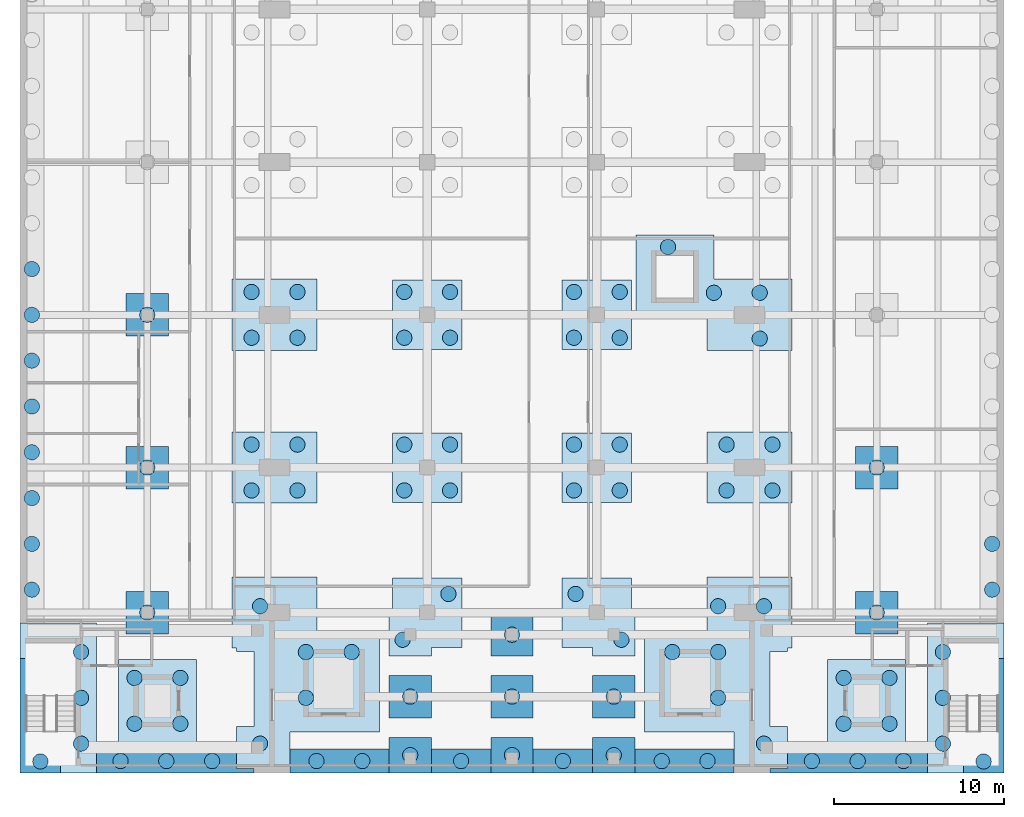
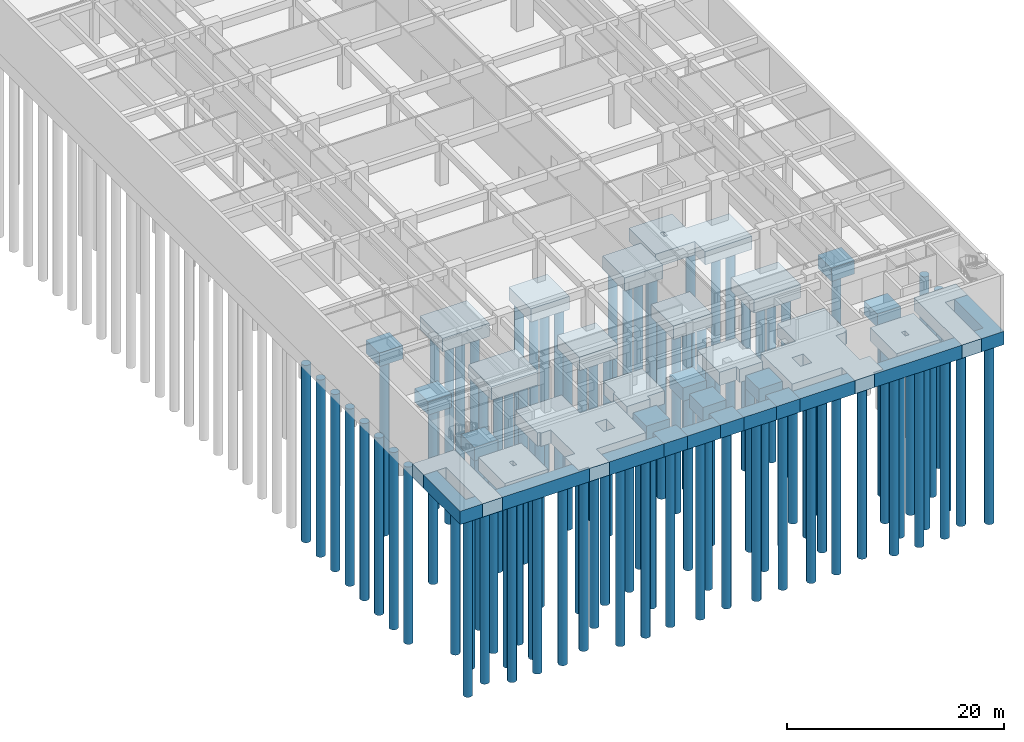
# One storey, part 1 of 19: 97 piles, 36 footings.
"""IFC4 building model written with IfcOpenShell, lengths in metres."""

import ifcopenshell
import ifcopenshell.guid

model = None  # the IFC model being written
_history = None  # IfcOwnerHistory: only IFC2X3 demands one
_inside = {}  # id of a spatial element -> (the spatial element, [elements in it])
_under = {}  # id of a project, library or spatial element -> (it, [spatial elements below it])
_declared = {}  # id of a project -> (the project, [libraries it declares])
_typed = {}  # id of a type object -> (the type object, [elements of that type])
_made_of = {}  # id of a material, layer set ... -> (it, [elements and type objects made of it])


def new_model(schema):
    """Start an empty IFC model of exactly this schema.

    Asked for "IFC4X3", IfcOpenShell would pick the latest addendum, in which some entities
    have other attributes; the version numbers below select the first issue.
    IFC2X3 requires an IfcOwnerHistory on every rooted entity: one is made here for all.
    """
    global model, _history
    if schema == "IFC4X3":
        model = ifcopenshell.file(schema_version=(4, 3, 0, 0))
    else:
        model = ifcopenshell.file(schema=schema)
    _inside.clear()
    _under.clear()
    _declared.clear()
    _typed.clear()
    _made_of.clear()
    _history = None
    if model.schema == "IFC2X3":
        org = make("IfcOrganization", Name="unknown")
        user = make(
            "IfcPersonAndOrganization",
            ThePerson=make("IfcPerson", FamilyName="unknown"),
            TheOrganization=org,
        )
        app = make(
            "IfcApplication",
            ApplicationDeveloper=org,
            Version="unknown",
            ApplicationFullName="unknown",
            ApplicationIdentifier="unknown",
        )
        _history = make(
            "IfcOwnerHistory",
            OwningUser=user,
            OwningApplication=app,
            ChangeAction="ADDED",
            CreationDate=0,
        )
    return model


def make(cls, **values):
    """One entity of the class cls with the attributes given. An attribute that is None is left unset."""
    return model.create_entity(
        cls, **{name: value for name, value in values.items() if value is not None}
    )


def rooted(cls, **values):
    """An entity with a GlobalId (a new one), such as an element, a storey or a relation."""
    return make(cls, GlobalId=ifcopenshell.guid.new(), OwnerHistory=_history, **values)


def si_unit(unit_type, name, prefix=None):
    """IfcSIUnit, for example si_unit("LENGTHUNIT", "METRE", prefix="MILLI")."""
    return make("IfcSIUnit", UnitType=unit_type, Prefix=prefix, Name=name)


def assignment(units):
    """IfcUnitAssignment: the units of a project."""
    return None if units is None else make("IfcUnitAssignment", Units=units)


def point(xyz):
    """IfcCartesianPoint."""
    return None if xyz is None else make("IfcCartesianPoint", Coordinates=xyz)


def direction(xyz):
    """IfcDirection."""
    return None if xyz is None else make("IfcDirection", DirectionRatios=xyz)


def frame(location, z_axis=None, x_axis=None):
    """IfcAxis2Placement3D, a coordinate frame: its origin and axes. An axis left out is left unset."""
    return make(
        "IfcAxis2Placement3D",
        Location=point(location),
        Axis=direction(z_axis),
        RefDirection=direction(x_axis),
    )


def frame_2d(location, x_axis=None):
    """IfcAxis2Placement2D, a coordinate frame in the plane: its origin and x axis."""
    return make(
        "IfcAxis2Placement2D", Location=point(location), RefDirection=direction(x_axis)
    )


def origin():
    """The frame at (0, 0, 0) with its axes left unset."""
    return frame((0.0, 0.0, 0.0))


def origin_2d():
    """The frame at (0, 0) in the plane with its x axis left unset."""
    return frame_2d((0.0, 0.0))


def place(relative_to, where):
    """IfcLocalPlacement: puts the frame where relative to a parent placement (None: the world)."""
    return make(
        "IfcLocalPlacement", PlacementRelTo=relative_to, RelativePlacement=where
    )


def context(
    kind, dimensions, precision=None, world=None, true_north=None, identifier=None
):
    """IfcGeometricRepresentationContext, for example the 3D "Model" context."""
    return make(
        "IfcGeometricRepresentationContext",
        ContextIdentifier=identifier,
        ContextType=kind,
        CoordinateSpaceDimension=dimensions,
        Precision=precision,
        WorldCoordinateSystem=world,
        TrueNorth=true_north,
    )


def subcontext(parent, identifier, kind, view, scale=None):
    """IfcGeometricRepresentationSubContext, for example "Body" below "Model"."""
    return make(
        "IfcGeometricRepresentationSubContext",
        ContextIdentifier=identifier,
        ContextType=kind,
        ParentContext=parent,
        TargetScale=scale,
        TargetView=view,
    )


def project(units=None, contexts=None):
    """IfcProject with its units and contexts."""
    return rooted(
        "IfcProject",
        Name="project",
        RepresentationContexts=contexts,
        UnitsInContext=assignment(units),
    )


def spatial(cls, under=None, at=None, **own):
    """A site, building, storey or space (cls), placed at a placement, below another one or the project."""
    s = rooted(cls, ObjectPlacement=at, **own)
    if under is not None:
        _under.setdefault(under.id(), (under, []))[1].append(s)
    return s


def polyline(points):
    """IfcPolyline through the points."""
    return make("IfcPolyline", Points=[point(p) for p in points])


def profile(cls, at=None, kind="AREA", **sizes):
    """A parametric profile (cls). Its sizes go by their IFC names, for example OverallWidth=200.0."""
    return make(cls, ProfileType=kind, Position=at, **sizes)


def circle(**sizes):
    """IfcCircleProfileDef."""
    return profile("IfcCircleProfileDef", **sizes)


def outline(outer, holes=None, kind="AREA"):
    """IfcArbitraryClosedProfileDef: a profile drawn as a closed curve; with holes, ...WithVoids."""
    if holes is None:
        return make("IfcArbitraryClosedProfileDef", ProfileType=kind, OuterCurve=outer)
    return make(
        "IfcArbitraryProfileDefWithVoids",
        ProfileType=kind,
        OuterCurve=outer,
        InnerCurves=holes,
    )


def extrude(swept, where, along, depth):
    """IfcExtrudedAreaSolid: the profile swept, set in the frame where, extruded along a direction by depth."""
    return make(
        "IfcExtrudedAreaSolid",
        SweptArea=swept,
        Position=where,
        ExtrudedDirection=direction(along),
        Depth=depth,
    )


def shape(context_of_items, identifier, shape_type, items):
    """IfcShapeRepresentation: the items that make up one representation, for example the "Body"."""
    return make(
        "IfcShapeRepresentation",
        ContextOfItems=context_of_items,
        RepresentationIdentifier=identifier,
        RepresentationType=shape_type,
        Items=items,
    )


def material(Name=None, Category=None):
    """IfcMaterial."""
    return make("IfcMaterial", Name=Name, Category=Category)


def layer(
    of_material, thickness, ventilated=None, Name=None, Category=None, Priority=None
):
    """IfcMaterialLayer: one layer of a wall or slab, of a material (None: an air gap)."""
    return make(
        "IfcMaterialLayer",
        Material=of_material,
        LayerThickness=thickness,
        IsVentilated=ventilated,
        Name=Name,
        Category=Category,
        Priority=Priority,
    )


def layer_set(layers, Name=None):
    """IfcMaterialLayerSet."""
    return make("IfcMaterialLayerSet", MaterialLayers=layers, LayerSetName=Name)


def material_profile(
    of_material, cross_section, Name=None, Category=None, Priority=None
):
    """IfcMaterialProfile: a cross section and its material."""
    return make(
        "IfcMaterialProfile",
        Name=Name,
        Material=of_material,
        Profile=cross_section,
        Priority=Priority,
        Category=Category,
    )


def profile_set(profiles, Name=None, composite=None):
    """IfcMaterialProfileSet."""
    return make(
        "IfcMaterialProfileSet",
        Name=Name,
        MaterialProfiles=profiles,
        CompositeProfile=composite,
    )


def made_of(thing, what):
    """Note that an element or type object is made of a material, layer set ...; save() writes the relation."""
    if what is not None:
        _made_of.setdefault(what.id(), (what, []))[1].append(thing)
    return thing


def type_object(cls, material=None, **own):
    """A type object (cls), such as IfcWallType, which elements share."""
    return made_of(rooted(cls, **own), material)


def element(
    cls,
    number,
    at=None,
    inside=None,
    cuts=None,
    type_object=None,
    material=None,
    context=None,
    identifier="Body",
    shape_type=None,
    held_by="IfcProductDefinitionShape",
    body=None,
    shapes=None,
    **own,
):
    """One element of the class cls, such as IfcWall. Its Tag is "e" and its number.

    at: its placement. inside: the storey or other place that contains it. cuts: it is an
    opening in that element (IfcRelVoidsElement). A single representation is given by context,
    identifier, shape_type and body (its items); several are given by shapes. held_by: the class
    of the entity that holds the representations. save() writes the other relations.
    """
    e = rooted(cls, Tag="e%d" % number, ObjectPlacement=at, **own)
    if body is not None:
        shapes = [shape(context, identifier, shape_type, body)]
    if shapes is not None:
        e.Representation = make(held_by, Representations=shapes)
    if inside is not None:
        _inside.setdefault(inside.id(), (inside, []))[1].append(e)
    if cuts is not None:
        rooted(
            "IfcRelVoidsElement", RelatingBuildingElement=cuts, RelatedOpeningElement=e
        )
    if type_object is not None:
        _typed.setdefault(type_object.id(), (type_object, []))[1].append(e)
    return made_of(e, material)


def aggregate(whole, parts):
    """IfcRelAggregates: a whole, such as a stair, and the parts it consists of."""
    return rooted("IfcRelAggregates", RelatingObject=whole, RelatedObjects=parts)


def save(model, path):
    """Write the relations noted so far, then the file.

    IfcRelAggregates (storeys below a building ...), IfcRelContainedInSpatialStructure (elements
    in a storey), IfcRelDefinesByType, IfcRelAssociatesMaterial and IfcRelDeclares: one each for
    every whole, place, type object, material and project.
    """
    for whole, parts in _under.values():
        aggregate(whole, parts)
    for where, things in _inside.values():
        rooted(
            "IfcRelContainedInSpatialStructure",
            RelatedElements=things,
            RelatingStructure=where,
        )
    for kind, things in _typed.values():
        rooted("IfcRelDefinesByType", RelatedObjects=things, RelatingType=kind)
    for what, things in _made_of.values():
        rooted("IfcRelAssociatesMaterial", RelatedObjects=things, RelatingMaterial=what)
    for by, libraries in _declared.values():
        rooted("IfcRelDeclares", RelatingContext=by, RelatedDefinitions=libraries)
    model.write(path)


model = new_model("IFC4")

# Units and contexts
model_context = context("Model", 3, precision=1e-05, world=origin(), true_north=direction((0.0, 1.0)))
body_context = subcontext(model_context, "Body", "Model", "MODEL_VIEW")
ifc_project = project(units=[si_unit("LENGTHUNIT", "METRE"), si_unit("AREAUNIT", "SQUARE_METRE"), si_unit("VOLUMEUNIT", "CUBIC_METRE"), si_unit("PLANEANGLEUNIT", "RADIAN"), si_unit("MASSUNIT", "GRAM", prefix="KILO")], contexts=[model_context])

# Site, building, storey
site_placement = place(None, origin())
site = spatial("IfcSite", under=ifc_project, at=site_placement, CompositionType="ELEMENT")
building_placement = place(site_placement, origin())
building = spatial("IfcBuilding", under=site, at=building_placement, Name="Elmora Arch Market Hall", CompositionType="ELEMENT")
storey_placement = place(building_placement, frame((0.0, 0.0, -10.0)))
storey = spatial("IfcBuildingStorey", under=building, at=storey_placement, Name="B1", CompositionType="ELEMENT", Elevation=-10.0)

# Piles
ifc_material_1 = material(Name="Concrete C40/50", Category="concrete")
ifc_material_profile = material_profile(ifc_material_1, circle(Radius=0.449951171875, at=origin_2d()), Name="Bored pile D900")
ifc_profile_set = profile_set([ifc_material_profile], Name="Concrete C40/50")
pile_type = type_object("IfcPileType", Name="Bored pile D900", PredefinedType="BORED", material=ifc_profile_set)
for number, where, z_axis, x_axis, name in (
    (1, (3.60009765625, 19.72509765625, -2.89990234375), (0.0, 0.0, -1.0), (1.0, 0.0, 0.0), "Bored pile 001.01"),
    (2, (3.60009765625, 22.425048828125, -2.89990234375), (0.0, 0.0, -1.0), (1.0, 0.0, 0.0), "Bored pile 001.02"),
    (3, (3.60009765625, 25.125, -2.89990234375), (0.0, 0.0, -1.0), (1.0, 0.0, 0.0), "Bored pile 001.03"),
    (4, (14.14990234375, 19.72509765625, -2.89990234375), (0.0, 0.0, -1.0), (1.0, 0.0, 0.0), "Bored pile 002.01"),
    (5, (14.14990234375, 27.824951171875, -2.89990234375), (0.0, 0.0, -1.0), (1.0, 0.0, 0.0), "Bored pile 002.02"),
    (6, (16.85009765625, 22.425048828125, -2.89990234375), (0.0, 0.0, -1.0), (1.0, 0.0, 0.0), "Bored pile 002.03"),
    (7, (16.85009765625, 25.125, -2.89990234375), (0.0, 0.0, -1.0), (1.0, 0.0, 0.0), "Bored pile 002.04"),
    (8, (19.550048828125, 25.125, -2.89990234375), (0.0, 0.0, -1.0), (1.0, 0.0, 0.0), "Bored pile 002.05"),
    (9, (23.0, 19.050048828125, -2.89990234375), (0.0, 0.0, -1.0), (1.0, 0.0, 0.0), "Bored pile 003.01"),
    (10, (29.0, 19.050048828125, -2.89990234375), (0.0, 0.0, -1.0), (1.0, 0.0, 0.0), "Bored pile 004.01"),
    (11, (35.0, 19.050048828125, -2.89990234375), (0.0, 0.0, -1.0), (1.0, 0.0, 0.0), "Bored pile 005.01"),
    (12, (38.449951171875, 25.125, -2.89990234375), (0.0, 0.0, -1.0), (1.0, 0.0, 0.0), "Bored pile 006.01"),
    (13, (41.14990234375, 22.425048828125, -2.89990234375), (0.0, 0.0, -1.0), (1.0, 0.0, 0.0), "Bored pile 006.02"),
    (14, (41.14990234375, 25.125, -2.89990234375), (0.0, 0.0, -1.0), (1.0, 0.0, 0.0), "Bored pile 006.03"),
    (15, (41.14990234375, 27.824951171875, -2.89990234375), (0.0, 0.0, -1.0), (1.0, 0.0, 0.0), "Bored pile 006.04"),
    (16, (43.85009765625, 19.72509765625, -2.89990234375), (0.0, 0.0, -1.0), (1.0, 0.0, 0.0), "Bored pile 006.05"),
    (17, (43.85009765625, 27.824951171875, -2.89990234375), (0.0, 0.0, -1.0), (1.0, 0.0, 0.0), "Bored pile 006.06"),
    (18, (54.39990234375, 19.72509765625, -2.89990234375), (0.0, 0.0, -1.0), (1.0, 0.0, 0.0), "Bored pile 007.01"),
    (19, (54.39990234375, 22.425048828125, -2.89990234375), (0.0, 0.0, -1.0), (1.0, 0.0, 0.0), "Bored pile 007.02"),
    (20, (54.39990234375, 25.125, -2.89990234375), (0.0, 0.0, -1.0), (1.0, 0.0, 0.0), "Bored pile 007.03"),
    (21, (6.75, 20.89990234375, -2.89990234375), (0.0, 0.0, -1.0), (1.0, 0.0, 0.0), "Bored pile 008.01"),
    (22, (6.75, 23.60009765625, -2.89990234375), (0.0, 0.0, -1.0), (1.0, 0.0, 0.0), "Bored pile 008.02"),
    (23, (9.449951171875, 20.89990234375, -2.89990234375), (0.0, 0.0, -1.0), (1.0, 0.0, 0.0), "Bored pile 008.03"),
    (24, (9.449951171875, 23.60009765625, -2.89990234375), (0.0, 0.0, -1.0), (1.0, 0.0, 0.0), "Bored pile 008.04"),
    (25, (48.550048828125, 20.89990234375, -2.89990234375), (0.0, 0.0, -1.0), (1.0, 0.0, 0.0), "Bored pile 009.01"),
    (26, (48.550048828125, 23.60009765625, -2.89990234375), (0.0, 0.0, -1.0), (1.0, 0.0, 0.0), "Bored pile 009.02"),
    (27, (51.25, 20.89990234375, -2.89990234375), (0.0, 0.0, -1.0), (1.0, 0.0, 0.0), "Bored pile 009.03"),
    (28, (51.25, 23.60009765625, -2.89990234375), (0.0, 0.0, -1.0), (1.0, 0.0, 0.0), "Bored pile 009.04"),
    (29, (23.0, 22.5, -2.89990234375), (0.0, 0.0, -1.0), (1.0, 0.0, 0.0), "Bored pile 010.01"),
    (30, (29.0, 22.5, -2.89990234375), (0.0, 0.0, -1.0), (1.0, 0.0, 0.0), "Bored pile 011.01"),
    (31, (35.0, 22.5, -2.89990234375), (0.0, 0.0, -1.0), (1.0, 0.0, 0.0), "Bored pile 012.01"),
    (32, (22.550048828125, 25.85009765625, -2.89990234375), (0.0, 0.0, -1.0), (1.0, 0.0, 0.0), "Bored pile 013.01"),
    (33, (25.25, 28.550048828125, -2.89990234375), (0.0, 0.0, -1.0), (1.0, 0.0, 0.0), "Bored pile 013.02"),
    (34, (29.0, 26.14990234375, -2.89990234375), (0.0, 0.0, -1.0), (1.0, 0.0, 0.0), "Bored pile 014.01"),
    (35, (32.75, 28.550048828125, -2.89990234375), (0.0, 0.0, -1.0), (1.0, 0.0, 0.0), "Bored pile 015.01"),
    (36, (35.449951171875, 25.85009765625, -2.89990234375), (0.0, 0.0, -1.0), (1.0, 0.0, 0.0), "Bored pile 015.02"),
    (37, (7.5, 27.449951171875, -2.89990234375), (0.0, 0.0, -1.0), (1.0, 0.0, 0.0), "Bored pile 016.01"),
    (38, (50.5, 27.449951171875, -2.89990234375), (0.0, 0.0, -1.0), (1.0, 0.0, 0.0), "Bored pile 017.01"),
    (39, (13.64990234375, 34.64990234375, -2.89990234375), (0.0, 0.0, -1.0), (1.0, 0.0, 0.0), "Bored pile 018.01"),
    (40, (13.64990234375, 37.35009765625, -2.89990234375), (0.0, 0.0, -1.0), (1.0, 0.0, 0.0), "Bored pile 018.02"),
    (41, (16.35009765625, 34.64990234375, -2.89990234375), (0.0, 0.0, -1.0), (1.0, 0.0, 0.0), "Bored pile 018.03"),
    (42, (16.35009765625, 37.35009765625, -2.89990234375), (0.0, 0.0, -1.0), (1.0, 0.0, 0.0), "Bored pile 018.04"),
    (43, (41.64990234375, 34.64990234375, -2.89990234375), (0.0, 0.0, -1.0), (1.0, 0.0, 0.0), "Bored pile 019.01"),
    (44, (41.64990234375, 37.35009765625, -2.89990234375), (0.0, 0.0, -1.0), (1.0, 0.0, 0.0), "Bored pile 019.02"),
    (45, (44.35009765625, 34.64990234375, -2.89990234375), (0.0, 0.0, -1.0), (1.0, 0.0, 0.0), "Bored pile 019.03"),
    (46, (44.35009765625, 37.35009765625, -2.89990234375), (0.0, 0.0, -1.0), (1.0, 0.0, 0.0), "Bored pile 019.04"),
    (47, (22.64990234375, 34.64990234375, -2.89990234375), (0.0, 0.0, -1.0), (1.0, 0.0, 0.0), "Bored pile 020.01"),
    (48, (22.64990234375, 37.35009765625, -2.89990234375), (0.0, 0.0, -1.0), (1.0, 0.0, 0.0), "Bored pile 020.02"),
    (49, (25.35009765625, 34.64990234375, -2.89990234375), (0.0, 0.0, -1.0), (1.0, 0.0, 0.0), "Bored pile 020.03"),
    (50, (25.35009765625, 37.35009765625, -2.89990234375), (0.0, 0.0, -1.0), (1.0, 0.0, 0.0), "Bored pile 020.04"),
    (51, (32.64990234375, 34.64990234375, -2.89990234375), (0.0, 0.0, -1.0), (1.0, 0.0, 0.0), "Bored pile 021.01"),
    (52, (32.64990234375, 37.35009765625, -2.89990234375), (0.0, 0.0, -1.0), (1.0, 0.0, 0.0), "Bored pile 021.02"),
    (53, (35.35009765625, 34.64990234375, -2.89990234375), (0.0, 0.0, -1.0), (1.0, 0.0, 0.0), "Bored pile 021.03"),
    (54, (35.35009765625, 37.35009765625, -2.89990234375), (0.0, 0.0, -1.0), (1.0, 0.0, 0.0), "Bored pile 021.04"),
    (55, (7.5, 36.0, -2.89990234375), (0.0, 0.0, -1.0), (1.0, 0.0, 0.0), "Bored pile 022.01"),
    (56, (50.5, 36.0, -2.89990234375), (0.0, 0.0, -1.0), (1.0, 0.0, 0.0), "Bored pile 023.01"),
    (57, (13.64990234375, 43.64990234375, -2.89990234375), (0.0, 0.0, -1.0), (1.0, 0.0, 0.0), "Bored pile 024.01"),
    (58, (13.64990234375, 46.35009765625, -2.89990234375), (0.0, 0.0, -1.0), (1.0, 0.0, 0.0), "Bored pile 024.02"),
    (59, (16.35009765625, 43.64990234375, -2.89990234375), (0.0, 0.0, -1.0), (1.0, 0.0, 0.0), "Bored pile 024.03"),
    (60, (16.35009765625, 46.35009765625, -2.89990234375), (0.0, 0.0, -1.0), (1.0, 0.0, 0.0), "Bored pile 024.04"),
    (61, (38.199951171875, 49.0, -2.89990234375), (0.0, 0.0, -1.0), (1.0, 0.0, 0.0), "Bored pile 025.01"),
    (62, (40.89990234375, 46.300048828125, -2.89990234375), (0.0, 0.0, -1.0), (1.0, 0.0, 0.0), "Bored pile 025.02"),
    (63, (43.60009765625, 43.60009765625, -2.89990234375), (0.0, 0.0, -1.0), (1.0, 0.0, 0.0), "Bored pile 025.03"),
    (64, (43.60009765625, 46.300048828125, -2.89990234375), (0.0, 0.0, -1.0), (1.0, 0.0, 0.0), "Bored pile 025.04"),
    (65, (22.64990234375, 43.64990234375, -2.89990234375), (0.0, 0.0, -1.0), (1.0, 0.0, 0.0), "Bored pile 026.01"),
    (66, (22.64990234375, 46.35009765625, -2.89990234375), (0.0, 0.0, -1.0), (1.0, 0.0, 0.0), "Bored pile 026.02"),
    (67, (25.35009765625, 43.64990234375, -2.89990234375), (0.0, 0.0, -1.0), (1.0, 0.0, 0.0), "Bored pile 026.03"),
    (68, (25.35009765625, 46.35009765625, -2.89990234375), (0.0, 0.0, -1.0), (1.0, 0.0, 0.0), "Bored pile 026.04"),
    (69, (32.64990234375, 43.64990234375, -2.89990234375), (0.0, 0.0, -1.0), (1.0, 0.0, 0.0), "Bored pile 027.01"),
    (70, (32.64990234375, 46.35009765625, -2.89990234375), (0.0, 0.0, -1.0), (1.0, 0.0, 0.0), "Bored pile 027.02"),
    (71, (35.35009765625, 43.64990234375, -2.89990234375), (0.0, 0.0, -1.0), (1.0, 0.0, 0.0), "Bored pile 027.03"),
    (72, (35.35009765625, 46.35009765625, -2.89990234375), (0.0, 0.0, -1.0), (1.0, 0.0, 0.0), "Bored pile 027.04"),
    (73, (7.5, 45.0, -2.89990234375), (0.0, 0.0, -1.0), (1.0, 0.0, 0.0), "Bored pile 028.01"),
    (74, (1.199951171875, 18.675048828125, -2.89990234375), (0.0, 0.0, -1.0), (1.0, 0.0, 0.0), "Bored pile 078.01"),
    (75, (5.925048828125, 18.699951171875, -2.89990234375), (0.0, 0.0, -1.0), (1.0, 0.0, 0.0), "Bored pile 079.01"),
    (76, (8.625, 18.699951171875, -2.89990234375), (0.0, 0.0, -1.0), (1.0, 0.0, 0.0), "Bored pile 079.02"),
    (77, (11.324951171875, 18.699951171875, -2.89990234375), (0.0, 0.0, -1.0), (1.0, 0.0, 0.0), "Bored pile 079.03"),
    (78, (17.47509765625, 18.699951171875, -2.89990234375), (0.0, 0.0, -1.0), (1.0, 0.0, 0.0), "Bored pile 080.01"),
    (79, (20.175048828125, 18.699951171875, -2.89990234375), (0.0, 0.0, -1.0), (1.0, 0.0, 0.0), "Bored pile 080.02"),
    (80, (26.0, 18.699951171875, -2.89990234375), (0.0, 0.0, -1.0), (1.0, 0.0, 0.0), "Bored pile 081.01"),
    (81, (32.0, 18.699951171875, -2.89990234375), (0.0, 0.0, -1.0), (1.0, 0.0, 0.0), "Bored pile 082.01"),
    (82, (37.824951171875, 18.699951171875, -2.89990234375), (0.0, 0.0, -1.0), (1.0, 0.0, 0.0), "Bored pile 083.01"),
    (83, (40.52490234375, 18.699951171875, -2.89990234375), (0.0, 0.0, -1.0), (1.0, 0.0, 0.0), "Bored pile 083.02"),
    (84, (46.675048828125, 18.699951171875, -2.89990234375), (0.0, 0.0, -1.0), (1.0, 0.0, 0.0), "Bored pile 084.01"),
    (85, (49.375, 18.699951171875, -2.89990234375), (0.0, 0.0, -1.0), (1.0, 0.0, 0.0), "Bored pile 084.02"),
    (86, (52.074951171875, 18.699951171875, -2.89990234375), (0.0, 0.0, -1.0), (1.0, 0.0, 0.0), "Bored pile 084.03"),
    (87, (56.800048828125, 18.675048828125, -2.89990234375), (0.0, 0.0, -1.0), (1.0, 0.0, 0.0), "Bored pile 085.01"),
    (88, (0.699951171875, 28.800048828125, -2.89990234375), (0.0, 0.0, -1.0), (1.0, 0.0, 0.0), "Bored pile 086.01"),
    (89, (0.699951171875, 31.5, -2.89990234375), (0.0, 0.0, -1.0), (1.0, 0.0, 0.0), "Bored pile 086.02"),
    (90, (0.699951171875, 34.199951171875, -2.89990234375), (0.0, 0.0, -1.0), (1.0, 0.0, 0.0), "Bored pile 086.03"),
    (91, (0.699951171875, 36.89990234375, -2.89990234375), (0.0, 0.0, -1.0), (1.0, 0.0, 0.0), "Bored pile 086.04"),
    (92, (0.699951171875, 39.60009765625, -2.89990234375), (0.0, 0.0, -1.0), (1.0, 0.0, 0.0), "Bored pile 086.05"),
    (93, (0.699951171875, 42.300048828125, -2.89990234375), (0.0, 0.0, -1.0), (1.0, 0.0, 0.0), "Bored pile 086.06"),
    (94, (0.699951171875, 45.0, -2.89990234375), (0.0, 0.0, -1.0), (1.0, 0.0, 0.0), "Bored pile 086.07"),
    (95, (0.699951171875, 47.699951171875, -2.89990234375), (0.0, 0.0, -1.0), (1.0, 0.0, 0.0), "Bored pile 086.08"),
    (96, (57.300048828125, 28.800048828125, -2.89990234375), (0.0, 0.0, -1.0), (1.0, 0.0, 0.0), "Bored pile 087.01"),
    (97, (57.300048828125, 31.5, -2.89990234375), (0.0, 0.0, -1.0), (1.0, 0.0, 0.0), "Bored pile 087.02"),
):
    element("IfcPile", number, at=place(storey_placement, frame(where, z_axis=z_axis, x_axis=x_axis)), inside=storey, type_object=pile_type, Name=name, PredefinedType="BORED", context=body_context, shape_type="SweptSolid", body=[
        extrude(circle(Radius=0.449951171875, at=origin_2d()), origin(), (0.0, 0.0, 1.0), 20.0),
    ])

# Footings
ifc_material_2 = material(Name="Concrete C40/50", Category="concrete")
ifc_layer_1 = layer(ifc_material_2, 1.5)
ifc_layer_set_1 = layer_set([ifc_layer_1], Name="Concrete C40/50")
footing_type_1 = type_object("IfcFootingType", Name="Pile cap 1500, 3 to 4 piles", PredefinedType="PILE_CAP", material=ifc_layer_set_1)
footing_1_placement = place(storey_placement, frame((0.0, 0.0, -2.89990234375)))
element("IfcFooting", 98, at=footing_1_placement, inside=storey, type_object=footing_type_1, Name="Pile cap 001", PredefinedType="PILE_CAP", context=body_context, shape_type="SweptSolid", body=[
    extrude(outline(polyline([(2.39990234375, 26.85009765625), (4.199951171875, 26.85009765625), (4.5, 26.85009765625), (4.5, 18.0), (2.39990234375, 18.0), (2.39990234375, 24.75), (0.0, 24.75), (0.0, 26.85009765625), (2.39990234375, 26.85009765625)])), origin(), (0.0, 0.0, 1.0), 1.5),
])
footing_2_placement = place(storey_placement, frame((0.0, 0.0, -2.89990234375)))
element("IfcFooting", 99, at=footing_2_placement, inside=storey, type_object=footing_type_1, Name="Pile cap 007", PredefinedType="PILE_CAP", context=body_context, shape_type="SweptSolid", body=[
    extrude(outline(polyline([(55.60009765625, 26.85009765625), (58.0, 26.85009765625), (58.0, 24.75), (55.60009765625, 24.75), (55.60009765625, 18.0), (53.5, 18.0), (53.5, 26.85009765625), (53.800048828125, 26.85009765625), (55.60009765625, 26.85009765625)])), origin(), (0.0, 0.0, 1.0), 1.5),
])
footing_3_placement = place(storey_placement, frame((0.0, 0.0, -2.89990234375)))
element("IfcFooting", 100, at=footing_3_placement, inside=storey, type_object=footing_type_1, Name="Pile cap 008", PredefinedType="PILE_CAP", context=body_context, shape_type="SweptSolid", body=[
    extrude(outline(polyline([(6.10009765625, 24.699951171875), (7.89990234375, 24.699951171875), (8.300048828125, 24.699951171875), (10.10009765625, 24.699951171875), (10.39990234375, 24.699951171875), (10.39990234375, 19.800048828125), (10.10009765625, 19.800048828125), (8.300048828125, 19.800048828125), (7.89990234375, 19.800048828125), (6.10009765625, 19.800048828125), (5.800048828125, 19.800048828125), (5.800048828125, 24.699951171875), (6.10009765625, 24.699951171875)]), holes=[polyline([(8.300048828125, 22.60009765625), (7.89990234375, 22.60009765625), (7.89990234375, 21.89990234375), (8.300048828125, 21.89990234375), (8.300048828125, 22.60009765625)])]), origin(), (0.0, 0.0, 1.0), 1.5),
])
footing_4_placement = place(storey_placement, frame((0.0, 0.0, -2.89990234375)))
element("IfcFooting", 101, at=footing_4_placement, inside=storey, type_object=footing_type_1, Name="Pile cap 009", PredefinedType="PILE_CAP", context=body_context, shape_type="SweptSolid", body=[
    extrude(outline(polyline([(50.10009765625, 19.800048828125), (49.699951171875, 19.800048828125), (47.89990234375, 19.800048828125), (47.60009765625, 19.800048828125), (47.60009765625, 24.699951171875), (47.89990234375, 24.699951171875), (49.699951171875, 24.699951171875), (50.10009765625, 24.699951171875), (51.89990234375, 24.699951171875), (52.199951171875, 24.699951171875), (52.199951171875, 19.800048828125), (51.89990234375, 19.800048828125), (50.10009765625, 19.800048828125)]), holes=[polyline([(50.10009765625, 22.60009765625), (49.699951171875, 22.60009765625), (49.699951171875, 21.89990234375), (50.10009765625, 21.89990234375), (50.10009765625, 22.60009765625)])]), origin(), (0.0, 0.0, 1.0), 1.5),
])
footing_5_placement = place(storey_placement, frame((0.0, 0.0, -2.89990234375)))
element("IfcFooting", 102, at=footing_5_placement, inside=storey, type_object=footing_type_1, Name="Pile cap 018", PredefinedType="PILE_CAP", context=body_context, shape_type="SweptSolid", body=[
    extrude(outline(polyline([(17.5, 33.89990234375), (12.5, 33.89990234375), (12.5, 38.10009765625), (17.5, 38.10009765625), (17.5, 33.89990234375)])), origin(), (0.0, 0.0, 1.0), 1.5),
])
footing_6_placement = place(storey_placement, frame((0.0, 0.0, -2.89990234375)))
element("IfcFooting", 103, at=footing_6_placement, inside=storey, type_object=footing_type_1, Name="Pile cap 019", PredefinedType="PILE_CAP", context=body_context, shape_type="SweptSolid", body=[
    extrude(outline(polyline([(45.5, 33.89990234375), (40.5, 33.89990234375), (40.5, 38.10009765625), (45.5, 38.10009765625), (45.5, 33.89990234375)])), origin(), (0.0, 0.0, 1.0), 1.5),
])
footing_7_placement = place(storey_placement, frame((0.0, 0.0, -2.89990234375)))
element("IfcFooting", 104, at=footing_7_placement, inside=storey, type_object=footing_type_1, Name="Pile cap 020", PredefinedType="PILE_CAP", context=body_context, shape_type="SweptSolid", body=[
    extrude(outline(polyline([(26.050048828125, 33.949951171875), (21.949951171875, 33.949951171875), (21.949951171875, 38.050048828125), (26.050048828125, 38.050048828125), (26.050048828125, 33.949951171875)])), origin(), (0.0, 0.0, 1.0), 1.5),
])
footing_8_placement = place(storey_placement, frame((0.0, 0.0, -2.89990234375)))
element("IfcFooting", 105, at=footing_8_placement, inside=storey, type_object=footing_type_1, Name="Pile cap 021", PredefinedType="PILE_CAP", context=body_context, shape_type="SweptSolid", body=[
    extrude(outline(polyline([(36.050048828125, 38.050048828125), (36.050048828125, 33.949951171875), (31.949951171875, 33.949951171875), (31.949951171875, 38.050048828125), (36.050048828125, 38.050048828125)])), origin(), (0.0, 0.0, 1.0), 1.5),
])
footing_9_placement = place(storey_placement, frame((0.0, 0.0, -2.89990234375)))
element("IfcFooting", 106, at=footing_9_placement, inside=storey, type_object=footing_type_1, Name="Pile cap 024", PredefinedType="PILE_CAP", context=body_context, shape_type="SweptSolid", body=[
    extrude(outline(polyline([(17.5, 42.89990234375), (12.5, 42.89990234375), (12.5, 47.10009765625), (17.5, 47.10009765625), (17.5, 42.89990234375)])), origin(), (0.0, 0.0, 1.0), 1.5),
])
footing_10_placement = place(storey_placement, frame((0.0, 0.0, -2.89990234375)))
element("IfcFooting", 107, at=footing_10_placement, inside=storey, type_object=footing_type_1, Name="Pile cap 025", PredefinedType="PILE_CAP", context=body_context, shape_type="SweptSolid", body=[
    extrude(outline(polyline([(38.39990234375, 44.800048828125), (36.60009765625, 44.800048828125), (36.300048828125, 44.800048828125), (36.300048828125, 49.699951171875), (36.60009765625, 49.699951171875), (38.39990234375, 49.699951171875), (38.800048828125, 49.699951171875), (40.60009765625, 49.699951171875), (40.89990234375, 49.699951171875), (40.89990234375, 47.10009765625), (45.5, 47.10009765625), (45.5, 42.89990234375), (40.5, 42.89990234375), (40.5, 44.800048828125), (38.800048828125, 44.800048828125), (38.39990234375, 44.800048828125)]), holes=[polyline([(38.39990234375, 47.60009765625), (38.39990234375, 46.89990234375), (38.800048828125, 46.89990234375), (38.800048828125, 47.60009765625), (38.39990234375, 47.60009765625)])]), origin(), (0.0, 0.0, 1.0), 1.5),
])
footing_11_placement = place(storey_placement, frame((0.0, 0.0, -2.89990234375)))
element("IfcFooting", 108, at=footing_11_placement, inside=storey, type_object=footing_type_1, Name="Pile cap 026", PredefinedType="PILE_CAP", context=body_context, shape_type="SweptSolid", body=[
    extrude(outline(polyline([(26.050048828125, 42.949951171875), (21.949951171875, 42.949951171875), (21.949951171875, 47.050048828125), (26.050048828125, 47.050048828125), (26.050048828125, 42.949951171875)])), origin(), (0.0, 0.0, 1.0), 1.5),
])
footing_12_placement = place(storey_placement, frame((0.0, 0.0, -2.89990234375)))
element("IfcFooting", 109, at=footing_12_placement, inside=storey, type_object=footing_type_1, Name="Pile cap 027", PredefinedType="PILE_CAP", context=body_context, shape_type="SweptSolid", body=[
    extrude(outline(polyline([(36.050048828125, 42.949951171875), (31.949951171875, 42.949951171875), (31.949951171875, 47.050048828125), (36.050048828125, 47.050048828125), (36.050048828125, 42.949951171875)])), origin(), (0.0, 0.0, 1.0), 1.5),
])
footing_13_placement = place(storey_placement, frame((0.0, 0.0, -2.89990234375)))
element("IfcFooting", 110, at=footing_13_placement, inside=storey, type_object=footing_type_1, Name="Pile cap 079", PredefinedType="PILE_CAP", context=body_context, shape_type="SweptSolid", body=[
    extrude(outline(polyline([(4.5, 18.0), (4.5, 19.39990234375), (12.75, 19.39990234375), (12.75, 18.25), (13.800048828125, 18.25), (13.800048828125, 18.0), (4.5, 18.0)])), origin(), (0.0, 0.0, 1.0), 1.5),
])
footing_14_placement = place(storey_placement, frame((0.0, 0.0, -2.89990234375)))
element("IfcFooting", 111, at=footing_14_placement, inside=storey, type_object=footing_type_1, Name="Pile cap 084", PredefinedType="PILE_CAP", context=body_context, shape_type="SweptSolid", body=[
    extrude(outline(polyline([(44.199951171875, 18.0), (44.199951171875, 18.25), (45.25, 18.25), (45.25, 19.39990234375), (53.5, 19.39990234375), (53.5, 18.0), (44.199951171875, 18.0)])), origin(), (0.0, 0.0, 1.0), 1.5),
])
ifc_material_3 = material(Name="Concrete C40/50", Category="concrete")
ifc_layer_2 = layer(ifc_material_3, 1.5)
ifc_layer_set_2 = layer_set([ifc_layer_2], Name="Concrete C40/50")
footing_type_2 = type_object("IfcFootingType", Name="Pile cap 1500, 5 to 8 piles", PredefinedType="PILE_CAP", material=ifc_layer_set_2)
footing_15_placement = place(storey_placement, frame((0.0, 0.0, -2.89990234375)))
element("IfcFooting", 112, at=footing_15_placement, inside=storey, type_object=footing_type_2, Name="Pile cap 002", PredefinedType="PILE_CAP", context=body_context, shape_type="SweptSolid", body=[
    extrude(outline(polyline([(12.5, 25.35009765625), (12.5, 29.550048828125), (17.5, 29.550048828125), (17.5, 26.199951171875), (17.89990234375, 26.199951171875), (19.10009765625, 26.199951171875), (20.89990234375, 26.199951171875), (21.199951171875, 26.199951171875), (21.199951171875, 20.39990234375), (20.89990234375, 20.39990234375), (19.10009765625, 20.39990234375), (17.89990234375, 20.39990234375), (16.10009765625, 20.39990234375), (15.89990234375, 20.39990234375), (15.89990234375, 18.0), (13.800048828125, 18.0), (13.800048828125, 18.25), (12.75, 18.25), (12.75, 20.75), (13.800048828125, 20.75), (13.800048828125, 25.14990234375), (12.75, 25.14990234375), (12.75, 25.35009765625), (12.5, 25.35009765625)]), holes=[polyline([(19.10009765625, 24.10009765625), (17.89990234375, 24.10009765625), (17.89990234375, 22.5), (19.10009765625, 22.5), (19.10009765625, 24.10009765625)])]), origin(), (0.0, 0.0, 1.0), 1.5),
])
footing_16_placement = place(storey_placement, frame((0.0, 0.0, -2.89990234375)))
element("IfcFooting", 113, at=footing_16_placement, inside=storey, type_object=footing_type_2, Name="Pile cap 006", PredefinedType="PILE_CAP", context=body_context, shape_type="SweptSolid", body=[
    extrude(outline(polyline([(36.800048828125, 26.199951171875), (37.10009765625, 26.199951171875), (38.89990234375, 26.199951171875), (40.10009765625, 26.199951171875), (40.5, 26.199951171875), (40.5, 29.550048828125), (45.5, 29.550048828125), (45.5, 25.35009765625), (45.25, 25.35009765625), (45.25, 25.14990234375), (44.199951171875, 25.14990234375), (44.199951171875, 20.75), (45.25, 20.75), (45.25, 18.25), (44.199951171875, 18.25), (44.199951171875, 18.0), (42.10009765625, 18.0), (42.10009765625, 20.39990234375), (41.89990234375, 20.39990234375), (40.10009765625, 20.39990234375), (38.89990234375, 20.39990234375), (37.10009765625, 20.39990234375), (36.800048828125, 20.39990234375), (36.800048828125, 26.199951171875)]), holes=[polyline([(38.89990234375, 22.5), (40.10009765625, 22.5), (40.10009765625, 24.10009765625), (38.89990234375, 24.10009765625), (38.89990234375, 22.5)])]), origin(), (0.0, 0.0, 1.0), 1.5),
])
ifc_material_4 = material(Name="Concrete C40/50", Category="concrete")
ifc_layer_3 = layer(ifc_material_4, 1.5)
ifc_layer_set_3 = layer_set([ifc_layer_3], Name="Concrete C40/50")
footing_type_3 = type_object("IfcFootingType", Name="Pile cap 1500, up to 2 piles", PredefinedType="PILE_CAP", material=ifc_layer_set_3)
footing_17_placement = place(storey_placement, frame((0.0, 0.0, -2.89990234375)))
element("IfcFooting", 114, at=footing_17_placement, inside=storey, type_object=footing_type_3, Name="Pile cap 003", PredefinedType="PILE_CAP", context=body_context, shape_type="SweptSolid", body=[
    extrude(outline(polyline([(24.25, 18.0), (21.75, 18.0), (21.75, 20.10009765625), (24.25, 20.10009765625), (24.25, 18.0)])), origin(), (0.0, 0.0, 1.0), 1.5),
])
footing_18_placement = place(storey_placement, frame((0.0, 0.0, -2.89990234375)))
element("IfcFooting", 115, at=footing_18_placement, inside=storey, type_object=footing_type_3, Name="Pile cap 004", PredefinedType="PILE_CAP", context=body_context, shape_type="SweptSolid", body=[
    extrude(outline(polyline([(30.25, 18.0), (27.75, 18.0), (27.75, 20.10009765625), (30.25, 20.10009765625), (30.25, 18.0)])), origin(), (0.0, 0.0, 1.0), 1.5),
])
footing_19_placement = place(storey_placement, frame((0.0, 0.0, -2.89990234375)))
element("IfcFooting", 116, at=footing_19_placement, inside=storey, type_object=footing_type_3, Name="Pile cap 005", PredefinedType="PILE_CAP", context=body_context, shape_type="SweptSolid", body=[
    extrude(outline(polyline([(36.25, 18.0), (33.75, 18.0), (33.75, 20.10009765625), (36.25, 20.10009765625), (36.25, 18.0)])), origin(), (0.0, 0.0, 1.0), 1.5),
])
footing_20_placement = place(storey_placement, frame((0.0, 0.0, -2.89990234375)))
element("IfcFooting", 117, at=footing_20_placement, inside=storey, type_object=footing_type_3, Name="Pile cap 010", PredefinedType="PILE_CAP", context=body_context, shape_type="SweptSolid", body=[
    extrude(outline(polyline([(24.25, 21.25), (21.75, 21.25), (21.75, 23.75), (24.25, 23.75), (24.25, 21.25)])), origin(), (0.0, 0.0, 1.0), 1.5),
])
footing_21_placement = place(storey_placement, frame((0.0, 0.0, -2.89990234375)))
element("IfcFooting", 118, at=footing_21_placement, inside=storey, type_object=footing_type_3, Name="Pile cap 011", PredefinedType="PILE_CAP", context=body_context, shape_type="SweptSolid", body=[
    extrude(outline(polyline([(30.25, 21.25), (27.75, 21.25), (27.75, 23.75), (30.25, 23.75), (30.25, 21.25)])), origin(), (0.0, 0.0, 1.0), 1.5),
])
footing_22_placement = place(storey_placement, frame((0.0, 0.0, -2.89990234375)))
element("IfcFooting", 119, at=footing_22_placement, inside=storey, type_object=footing_type_3, Name="Pile cap 012", PredefinedType="PILE_CAP", context=body_context, shape_type="SweptSolid", body=[
    extrude(outline(polyline([(36.25, 21.25), (33.75, 21.25), (33.75, 23.75), (36.25, 23.75), (36.25, 21.25)])), origin(), (0.0, 0.0, 1.0), 1.5),
])
footing_23_placement = place(storey_placement, frame((0.0, 0.0, -2.89990234375)))
element("IfcFooting", 120, at=footing_23_placement, inside=storey, type_object=footing_type_3, Name="Pile cap 013", PredefinedType="PILE_CAP", context=body_context, shape_type="SweptSolid", body=[
    extrude(outline(polyline([(24.25, 25.39990234375), (24.25, 24.89990234375), (21.75, 24.89990234375), (21.75, 27.39990234375), (21.949951171875, 27.39990234375), (21.949951171875, 29.5), (26.050048828125, 29.5), (26.050048828125, 25.39990234375), (24.25, 25.39990234375)])), origin(), (0.0, 0.0, 1.0), 1.5),
])
footing_24_placement = place(storey_placement, frame((0.0, 0.0, -2.89990234375)))
element("IfcFooting", 121, at=footing_24_placement, inside=storey, type_object=footing_type_3, Name="Pile cap 014", PredefinedType="PILE_CAP", context=body_context, shape_type="SweptSolid", body=[
    extrude(outline(polyline([(30.25, 24.89990234375), (27.75, 24.89990234375), (27.75, 27.39990234375), (30.25, 27.39990234375), (30.25, 24.89990234375)])), origin(), (0.0, 0.0, 1.0), 1.5),
])
footing_25_placement = place(storey_placement, frame((0.0, 0.0, -2.89990234375)))
element("IfcFooting", 122, at=footing_25_placement, inside=storey, type_object=footing_type_3, Name="Pile cap 015", PredefinedType="PILE_CAP", context=body_context, shape_type="SweptSolid", body=[
    extrude(outline(polyline([(31.949951171875, 29.5), (36.050048828125, 29.5), (36.050048828125, 27.39990234375), (36.25, 27.39990234375), (36.25, 24.89990234375), (33.75, 24.89990234375), (33.75, 25.39990234375), (31.949951171875, 25.39990234375), (31.949951171875, 29.5)])), origin(), (0.0, 0.0, 1.0), 1.5),
])
footing_26_placement = place(storey_placement, frame((0.0, 0.0, -2.89990234375)))
element("IfcFooting", 123, at=footing_26_placement, inside=storey, type_object=footing_type_3, Name="Pile cap 016", PredefinedType="PILE_CAP", context=body_context, shape_type="SweptSolid", body=[
    extrude(outline(polyline([(8.75, 26.199951171875), (6.25, 26.199951171875), (6.25, 28.699951171875), (8.75, 28.699951171875), (8.75, 26.199951171875)])), origin(), (0.0, 0.0, 1.0), 1.5),
])
footing_27_placement = place(storey_placement, frame((0.0, 0.0, -2.89990234375)))
element("IfcFooting", 124, at=footing_27_placement, inside=storey, type_object=footing_type_3, Name="Pile cap 017", PredefinedType="PILE_CAP", context=body_context, shape_type="SweptSolid", body=[
    extrude(outline(polyline([(51.75, 26.199951171875), (49.25, 26.199951171875), (49.25, 28.699951171875), (51.75, 28.699951171875), (51.75, 26.199951171875)])), origin(), (0.0, 0.0, 1.0), 1.5),
])
footing_28_placement = place(storey_placement, frame((0.0, 0.0, -2.89990234375)))
element("IfcFooting", 125, at=footing_28_placement, inside=storey, type_object=footing_type_3, Name="Pile cap 022", PredefinedType="PILE_CAP", context=body_context, shape_type="SweptSolid", body=[
    extrude(outline(polyline([(8.75, 34.75), (6.25, 34.75), (6.25, 37.25), (8.75, 37.25), (8.75, 34.75)])), origin(), (0.0, 0.0, 1.0), 1.5),
])
footing_29_placement = place(storey_placement, frame((0.0, 0.0, -2.89990234375)))
element("IfcFooting", 126, at=footing_29_placement, inside=storey, type_object=footing_type_3, Name="Pile cap 023", PredefinedType="PILE_CAP", context=body_context, shape_type="SweptSolid", body=[
    extrude(outline(polyline([(51.75, 34.75), (49.25, 34.75), (49.25, 37.25), (51.75, 37.25), (51.75, 34.75)])), origin(), (0.0, 0.0, 1.0), 1.5),
])
footing_30_placement = place(storey_placement, frame((0.0, 0.0, -2.89990234375)))
element("IfcFooting", 127, at=footing_30_placement, inside=storey, type_object=footing_type_3, Name="Pile cap 028", PredefinedType="PILE_CAP", context=body_context, shape_type="SweptSolid", body=[
    extrude(outline(polyline([(8.75, 43.75), (6.25, 43.75), (6.25, 46.25), (8.75, 46.25), (8.75, 43.75)])), origin(), (0.0, 0.0, 1.0), 1.5),
])
footing_31_placement = place(storey_placement, frame((0.0, 0.0, -2.89990234375)))
element("IfcFooting", 128, at=footing_31_placement, inside=storey, type_object=footing_type_3, Name="Pile cap 078", PredefinedType="PILE_CAP", context=body_context, shape_type="SweptSolid", body=[
    extrude(outline(polyline([(1.39990234375, 18.0), (0.0, 18.0), (0.0, 19.39990234375), (0.0, 24.75), (1.39990234375, 24.75), (1.39990234375, 19.39990234375), (2.39990234375, 19.39990234375), (2.39990234375, 18.0), (1.39990234375, 18.0)])), origin(), (0.0, 0.0, 1.0), 1.5),
])
footing_32_placement = place(storey_placement, frame((0.0, 0.0, -2.89990234375)))
element("IfcFooting", 129, at=footing_32_placement, inside=storey, type_object=footing_type_3, Name="Pile cap 080", PredefinedType="PILE_CAP", context=body_context, shape_type="SweptSolid", body=[
    extrude(outline(polyline([(15.89990234375, 18.0), (15.89990234375, 19.39990234375), (21.75, 19.39990234375), (21.75, 18.0), (15.89990234375, 18.0)])), origin(), (0.0, 0.0, 1.0), 1.5),
])
footing_33_placement = place(storey_placement, frame((0.0, 0.0, -2.89990234375)))
element("IfcFooting", 130, at=footing_33_placement, inside=storey, type_object=footing_type_3, Name="Pile cap 081", PredefinedType="PILE_CAP", context=body_context, shape_type="SweptSolid", body=[
    extrude(outline(polyline([(24.25, 18.0), (24.25, 19.39990234375), (27.75, 19.39990234375), (27.75, 18.0), (24.25, 18.0)])), origin(), (0.0, 0.0, 1.0), 1.5),
])
footing_34_placement = place(storey_placement, frame((0.0, 0.0, -2.89990234375)))
element("IfcFooting", 131, at=footing_34_placement, inside=storey, type_object=footing_type_3, Name="Pile cap 082", PredefinedType="PILE_CAP", context=body_context, shape_type="SweptSolid", body=[
    extrude(outline(polyline([(30.25, 18.0), (30.25, 19.39990234375), (33.75, 19.39990234375), (33.75, 18.0), (30.25, 18.0)])), origin(), (0.0, 0.0, 1.0), 1.5),
])
footing_35_placement = place(storey_placement, frame((0.0, 0.0, -2.89990234375)))
element("IfcFooting", 132, at=footing_35_placement, inside=storey, type_object=footing_type_3, Name="Pile cap 083", PredefinedType="PILE_CAP", context=body_context, shape_type="SweptSolid", body=[
    extrude(outline(polyline([(36.25, 18.0), (36.25, 19.39990234375), (42.10009765625, 19.39990234375), (42.10009765625, 18.0), (36.25, 18.0)])), origin(), (0.0, 0.0, 1.0), 1.5),
])
footing_36_placement = place(storey_placement, frame((0.0, 0.0, -2.89990234375)))
element("IfcFooting", 133, at=footing_36_placement, inside=storey, type_object=footing_type_3, Name="Pile cap 085", PredefinedType="PILE_CAP", context=body_context, shape_type="SweptSolid", body=[
    extrude(outline(polyline([(55.60009765625, 18.0), (55.60009765625, 19.39990234375), (56.60009765625, 19.39990234375), (56.60009765625, 24.75), (58.0, 24.75), (58.0, 19.39990234375), (58.0, 18.0), (56.60009765625, 18.0), (55.60009765625, 18.0)])), origin(), (0.0, 0.0, 1.0), 1.5),
])

save(model, "model.ifc")
